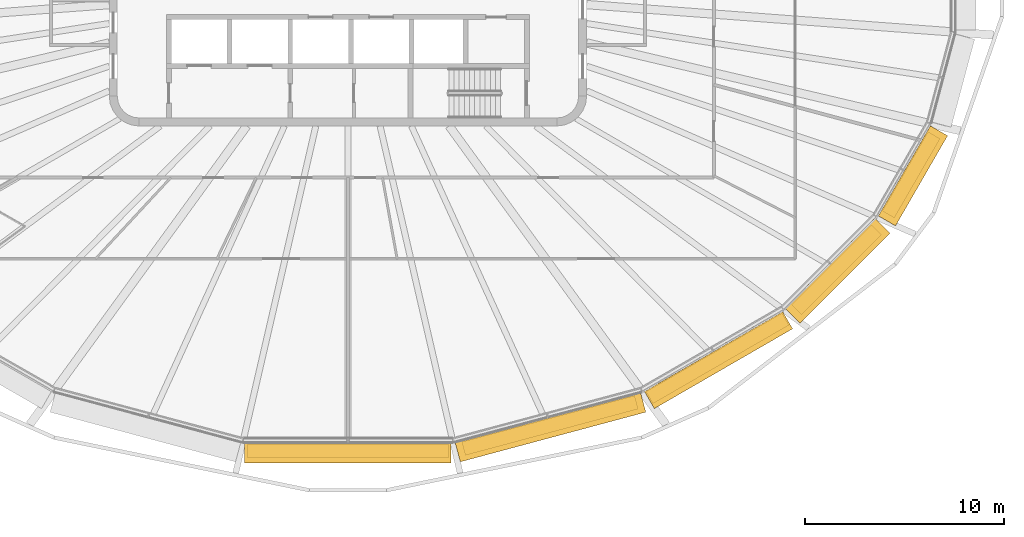
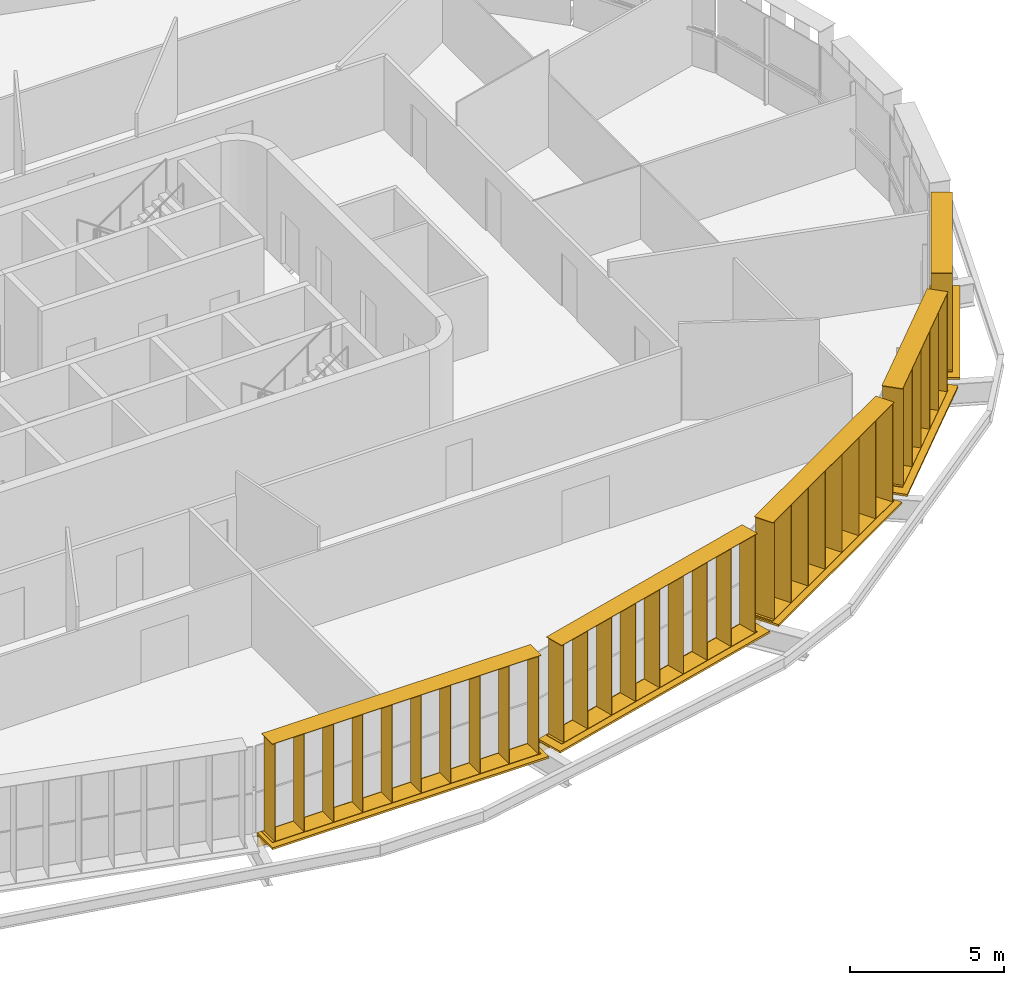
# One storey, part 18 of 20: 10 shading devices.
"""IFC4 building model written with IfcOpenShell, lengths in metres."""

from ifc_helpers import new_model, si_unit, direction, frame, origin, origin_2d, place, context, subcontext, project, spatial, rectangle, extrude, material, type_object, element, save


model = new_model("IFC4")

# Units and contexts
model_context = context("Model", 3, precision=1e-05, world=origin(), true_north=direction((0.0, 1.0)))
body_context = subcontext(model_context, "Body", "Model", "MODEL_VIEW")
ifc_project = project(units=[si_unit("LENGTHUNIT", "METRE"), si_unit("AREAUNIT", "SQUARE_METRE"), si_unit("VOLUMEUNIT", "CUBIC_METRE"), si_unit("PLANEANGLEUNIT", "RADIAN"), si_unit("MASSUNIT", "GRAM", prefix="KILO")], contexts=[model_context])

# Site, building, storey
site_placement = place(None, origin())
site = spatial("IfcSite", under=ifc_project, at=site_placement, CompositionType="ELEMENT")
building_placement = place(site_placement, origin())
building = spatial("IfcBuilding", under=site, at=building_placement, Name="Sahrelin Media Tower", CompositionType="ELEMENT")
storey_placement = place(building_placement, frame((0.0, 0.0, 221.60009765625)))
storey = spatial("IfcBuildingStorey", under=building, at=storey_placement, Name="L47", CompositionType="ELEMENT", Elevation=221.60009765625)

# Shading devices
ifc_material = material(Name="Champagne anodised aluminium 6063-T6", Category="aluminium")
shading_device_type_1 = type_object("IfcShadingDeviceType", Name="Fin cassette", PredefinedType="USERDEFINED", material=ifc_material)
placement_1 = place(storey_placement, frame((0.0, -22.925537109375, 0.0), z_axis=(0.0, 0.0, 1.0), x_axis=(-1.0, 0.0, 0.0)))
element("IfcShadingDevice", 1, at=placement_1, inside=storey, type_object=shading_device_type_1, Name="L47:FIN:L47-18", ObjectType="FIN", PredefinedType="USERDEFINED", context=body_context, shape_type="SweptSolid", body=[
    extrude(rectangle(XDim=10.10009765625, YDim=0.699951171875, at=origin_2d()), frame((0.0, 0.419921875, 0.0)), (0.0, 0.0, 1.0), 0.02001953125),
    extrude(rectangle(XDim=10.10009765625, YDim=0.699951171875, at=origin_2d()), frame((0.0, 0.419921875, 3.89990234375)), (0.0, 0.0, 1.0), 0.02001953125),
    extrude(rectangle(XDim=0.02001953125, YDim=0.699951171875, at=origin_2d()), frame((-4.949951171875, 0.419921875, 0.010009765625), z_axis=(0.0, 0.0, 1.0), x_axis=(1.0, 0.0, 0.0)), (0.0, 0.0, 1.0), 3.89990234375),
    extrude(rectangle(XDim=0.02001953125, YDim=0.699951171875, at=origin_2d()), frame((-3.85009765625, 0.419921875, 0.010009765625), z_axis=(0.0, 0.0, 1.0), x_axis=(1.0, 0.0, 0.0)), (0.0, 0.0, 1.0), 3.89990234375),
    extrude(rectangle(XDim=0.02001953125, YDim=0.699951171875, at=origin_2d()), frame((-2.75, 0.419921875, 0.010009765625), z_axis=(0.0, 0.0, 1.0), x_axis=(1.0, 0.0, 0.0)), (0.0, 0.0, 1.0), 3.89990234375),
    extrude(rectangle(XDim=0.02001953125, YDim=0.699951171875, at=origin_2d()), frame((-1.64990234375, 0.419921875, 0.010009765625), z_axis=(0.0, 0.0, 1.0), x_axis=(1.0, 0.0, 0.0)), (0.0, 0.0, 1.0), 3.89990234375),
    extrude(rectangle(XDim=0.02001953125, YDim=0.699951171875, at=origin_2d()), frame((-0.550048828125, 0.419921875, 0.010009765625), z_axis=(0.0, 0.0, 1.0), x_axis=(1.0, 0.0, 0.0)), (0.0, 0.0, 1.0), 3.89990234375),
    extrude(rectangle(XDim=0.02001953125, YDim=0.699951171875, at=origin_2d()), frame((0.550048828125, 0.419921875, 0.010009765625), z_axis=(0.0, 0.0, 1.0), x_axis=(1.0, 0.0, 0.0)), (0.0, 0.0, 1.0), 3.89990234375),
    extrude(rectangle(XDim=0.02001953125, YDim=0.699951171875, at=origin_2d()), frame((1.64990234375, 0.419921875, 0.010009765625), z_axis=(0.0, 0.0, 1.0), x_axis=(1.0, 0.0, 0.0)), (0.0, 0.0, 1.0), 3.89990234375),
    extrude(rectangle(XDim=0.02001953125, YDim=0.699951171875, at=origin_2d()), frame((2.75, 0.419921875, 0.010009765625), z_axis=(0.0, 0.0, 1.0), x_axis=(1.0, 0.0, 0.0)), (0.0, 0.0, 1.0), 3.89990234375),
    extrude(rectangle(XDim=0.02001953125, YDim=0.699951171875, at=origin_2d()), frame((3.85009765625, 0.419921875, 0.010009765625), z_axis=(0.0, 0.0, 1.0), x_axis=(1.0, 0.0, 0.0)), (0.0, 0.0, 1.0), 3.89990234375),
    extrude(rectangle(XDim=0.02001953125, YDim=0.699951171875, at=origin_2d()), frame((4.949951171875, 0.419921875, 0.010009765625), z_axis=(0.0, 0.0, 1.0), x_axis=(1.0, 0.0, 0.0)), (0.0, 0.0, 1.0), 3.89990234375),
])
placement_2 = place(storey_placement, frame((10.04931640625, -21.650390625, 0.0), z_axis=(0.0, 0.0, 1.0), x_axis=(-0.965928857556, -0.258807731996, 0.0)))
element("IfcShadingDevice", 2, at=placement_2, inside=storey, type_object=shading_device_type_1, Name="L47:FIN:L47-19", ObjectType="FIN", PredefinedType="USERDEFINED", context=body_context, shape_type="SweptSolid", body=[
    extrude(rectangle(XDim=9.0, YDim=0.699951171875, at=origin_2d()), frame((0.0, 0.419921875, 0.0)), (0.0, 0.0, 1.0), 0.02001953125),
    extrude(rectangle(XDim=9.0, YDim=0.699951171875, at=origin_2d()), frame((0.0, 0.419921875, 3.89990234375)), (0.0, 0.0, 1.0), 0.02001953125),
    extrude(rectangle(XDim=0.02001953125, YDim=0.699951171875, at=origin_2d()), frame((-4.39990234375, 0.419921875, 0.010009765625), z_axis=(0.0, 0.0, 1.0), x_axis=(1.0, 0.0, 0.0)), (0.0, 0.0, 1.0), 3.89990234375),
    extrude(rectangle(XDim=0.02001953125, YDim=0.699951171875, at=origin_2d()), frame((-3.300048828125, 0.419921875, 0.010009765625), z_axis=(0.0, 0.0, 1.0), x_axis=(1.0, 0.0, 0.0)), (0.0, 0.0, 1.0), 3.89990234375),
    extrude(rectangle(XDim=0.02001953125, YDim=0.699951171875, at=origin_2d()), frame((-2.199951171875, 0.419921875, 0.010009765625), z_axis=(0.0, 0.0, 1.0), x_axis=(1.0, 0.0, 0.0)), (0.0, 0.0, 1.0), 3.89990234375),
    extrude(rectangle(XDim=0.02001953125, YDim=0.699951171875, at=origin_2d()), frame((-1.10009765625, 0.419921875, 0.010009765625), z_axis=(0.0, 0.0, 1.0), x_axis=(1.0, 0.0, 0.0)), (0.0, 0.0, 1.0), 3.89990234375),
    extrude(rectangle(XDim=0.02001953125, YDim=0.699951171875, at=origin_2d()), frame((0.0, 0.419921875, 0.010009765625), z_axis=(0.0, 0.0, 1.0), x_axis=(1.0, 0.0, 0.0)), (0.0, 0.0, 1.0), 3.89990234375),
    extrude(rectangle(XDim=0.02001953125, YDim=0.699951171875, at=origin_2d()), frame((1.10009765625, 0.419921875, 0.010009765625), z_axis=(0.0, 0.0, 1.0), x_axis=(1.0, 0.0, 0.0)), (0.0, 0.0, 1.0), 3.89990234375),
    extrude(rectangle(XDim=0.02001953125, YDim=0.699951171875, at=origin_2d()), frame((2.199951171875, 0.419921875, 0.010009765625), z_axis=(0.0, 0.0, 1.0), x_axis=(1.0, 0.0, 0.0)), (0.0, 0.0, 1.0), 3.89990234375),
    extrude(rectangle(XDim=0.02001953125, YDim=0.699951171875, at=origin_2d()), frame((3.300048828125, 0.419921875, 0.010009765625), z_axis=(0.0, 0.0, 1.0), x_axis=(1.0, 0.0, 0.0)), (0.0, 0.0, 1.0), 3.89990234375),
    extrude(rectangle(XDim=0.02001953125, YDim=0.699951171875, at=origin_2d()), frame((4.39990234375, 0.419921875, 0.010009765625), z_axis=(0.0, 0.0, 1.0), x_axis=(1.0, 0.0, 0.0)), (0.0, 0.0, 1.0), 3.89990234375),
])
placement_3 = place(storey_placement, frame((18.369873046875, -18.319091796875, 0.0), z_axis=(0.0, 0.0, 1.0), x_axis=(-0.866019052629, -0.500011000363, 0.0)))
element("IfcShadingDevice", 3, at=placement_3, inside=storey, type_object=shading_device_type_1, Name="L47:FIN:L47-20", ObjectType="FIN", PredefinedType="USERDEFINED", context=body_context, shape_type="SweptSolid", body=[
    extrude(rectangle(XDim=7.89990234375, YDim=0.699951171875, at=origin_2d()), frame((0.0, 0.419921875, 0.0)), (0.0, 0.0, 1.0), 0.02001953125),
    extrude(rectangle(XDim=7.89990234375, YDim=0.699951171875, at=origin_2d()), frame((0.0, 0.419921875, 3.89990234375)), (0.0, 0.0, 1.0), 0.02001953125),
    extrude(rectangle(XDim=0.02001953125, YDim=0.699951171875, at=origin_2d()), frame((-3.85009765625, 0.419921875, 0.010009765625), z_axis=(0.0, 0.0, 1.0), x_axis=(1.0, 0.0, 0.0)), (0.0, 0.0, 1.0), 3.89990234375),
    extrude(rectangle(XDim=0.02001953125, YDim=0.699951171875, at=origin_2d()), frame((-2.75, 0.419921875, 0.010009765625), z_axis=(0.0, 0.0, 1.0), x_axis=(1.0, 0.0, 0.0)), (0.0, 0.0, 1.0), 3.89990234375),
    extrude(rectangle(XDim=0.02001953125, YDim=0.699951171875, at=origin_2d()), frame((-1.64990234375, 0.419921875, 0.010009765625), z_axis=(0.0, 0.0, 1.0), x_axis=(1.0, 0.0, 0.0)), (0.0, 0.0, 1.0), 3.89990234375),
    extrude(rectangle(XDim=0.02001953125, YDim=0.699951171875, at=origin_2d()), frame((-0.550048828125, 0.419921875, 0.010009765625), z_axis=(0.0, 0.0, 1.0), x_axis=(1.0, 0.0, 0.0)), (0.0, 0.0, 1.0), 3.89990234375),
    extrude(rectangle(XDim=0.02001953125, YDim=0.699951171875, at=origin_2d()), frame((0.550048828125, 0.419921875, 0.010009765625), z_axis=(0.0, 0.0, 1.0), x_axis=(1.0, 0.0, 0.0)), (0.0, 0.0, 1.0), 3.89990234375),
    extrude(rectangle(XDim=0.02001953125, YDim=0.699951171875, at=origin_2d()), frame((1.64990234375, 0.419921875, 0.010009765625), z_axis=(0.0, 0.0, 1.0), x_axis=(1.0, 0.0, 0.0)), (0.0, 0.0, 1.0), 3.89990234375),
    extrude(rectangle(XDim=0.02001953125, YDim=0.699951171875, at=origin_2d()), frame((2.75, 0.419921875, 0.010009765625), z_axis=(0.0, 0.0, 1.0), x_axis=(1.0, 0.0, 0.0)), (0.0, 0.0, 1.0), 3.89990234375),
    extrude(rectangle(XDim=0.02001953125, YDim=0.699951171875, at=origin_2d()), frame((3.85009765625, 0.419921875, 0.010009765625), z_axis=(0.0, 0.0, 1.0), x_axis=(1.0, 0.0, 0.0)), (0.0, 0.0, 1.0), 3.89990234375),
])
placement_4 = place(storey_placement, frame((24.263916015625, -13.929931640625, 0.0), z_axis=(0.0, 0.0, 1.0), x_axis=(-0.707106781187, -0.707106781187, 0.0)))
element("IfcShadingDevice", 4, at=placement_4, inside=storey, type_object=shading_device_type_1, Name="L47:FIN:L47-21", ObjectType="FIN", PredefinedType="USERDEFINED", context=body_context, shape_type="SweptSolid", body=[
    extrude(rectangle(XDim=5.699951171875, YDim=0.699951171875, at=origin_2d()), frame((0.0, 0.419921875, 0.0)), (0.0, 0.0, 1.0), 0.02001953125),
    extrude(rectangle(XDim=5.699951171875, YDim=0.699951171875, at=origin_2d()), frame((0.0, 0.419921875, 3.89990234375)), (0.0, 0.0, 1.0), 0.02001953125),
    extrude(rectangle(XDim=0.02001953125, YDim=0.699951171875, at=origin_2d()), frame((-2.75, 0.419921875, 0.010009765625), z_axis=(0.0, 0.0, 1.0), x_axis=(1.0, 0.0, 0.0)), (0.0, 0.0, 1.0), 3.89990234375),
    extrude(rectangle(XDim=0.02001953125, YDim=0.699951171875, at=origin_2d()), frame((-1.64990234375, 0.419921875, 0.010009765625), z_axis=(0.0, 0.0, 1.0), x_axis=(1.0, 0.0, 0.0)), (0.0, 0.0, 1.0), 3.89990234375),
    extrude(rectangle(XDim=0.02001953125, YDim=0.699951171875, at=origin_2d()), frame((-0.550048828125, 0.419921875, 0.010009765625), z_axis=(0.0, 0.0, 1.0), x_axis=(1.0, 0.0, 0.0)), (0.0, 0.0, 1.0), 3.89990234375),
    extrude(rectangle(XDim=0.02001953125, YDim=0.699951171875, at=origin_2d()), frame((0.550048828125, 0.419921875, 0.010009765625), z_axis=(0.0, 0.0, 1.0), x_axis=(1.0, 0.0, 0.0)), (0.0, 0.0, 1.0), 3.89990234375),
    extrude(rectangle(XDim=0.02001953125, YDim=0.699951171875, at=origin_2d()), frame((1.64990234375, 0.419921875, 0.010009765625), z_axis=(0.0, 0.0, 1.0), x_axis=(1.0, 0.0, 0.0)), (0.0, 0.0, 1.0), 3.89990234375),
    extrude(rectangle(XDim=0.02001953125, YDim=0.699951171875, at=origin_2d()), frame((2.75, 0.419921875, 0.010009765625), z_axis=(0.0, 0.0, 1.0), x_axis=(1.0, 0.0, 0.0)), (0.0, 0.0, 1.0), 3.89990234375),
])
placement_5 = place(storey_placement, frame((27.954833984375, -9.2451171875, 0.0), z_axis=(0.0, 0.0, 1.0), x_axis=(-0.500011000363, -0.866019052629, 0.0)))
element("IfcShadingDevice", 5, at=placement_5, inside=storey, type_object=shading_device_type_1, Name="L47:FIN:L47-22", ObjectType="FIN", PredefinedType="USERDEFINED", context=body_context, shape_type="SweptSolid", body=[
    extrude(rectangle(XDim=4.60009765625, YDim=0.699951171875, at=origin_2d()), frame((0.0, 0.419921875, 0.0)), (0.0, 0.0, 1.0), 0.02001953125),
    extrude(rectangle(XDim=4.60009765625, YDim=0.699951171875, at=origin_2d()), frame((0.0, 0.419921875, 3.89990234375)), (0.0, 0.0, 1.0), 0.02001953125),
    extrude(rectangle(XDim=0.02001953125, YDim=0.699951171875, at=origin_2d()), frame((-2.199951171875, 0.419921875, 0.010009765625), z_axis=(0.0, 0.0, 1.0), x_axis=(1.0, 0.0, 0.0)), (0.0, 0.0, 1.0), 3.89990234375),
    extrude(rectangle(XDim=0.02001953125, YDim=0.699951171875, at=origin_2d()), frame((-1.10009765625, 0.419921875, 0.010009765625), z_axis=(0.0, 0.0, 1.0), x_axis=(1.0, 0.0, 0.0)), (0.0, 0.0, 1.0), 3.89990234375),
    extrude(rectangle(XDim=0.02001953125, YDim=0.699951171875, at=origin_2d()), frame((0.0, 0.419921875, 0.010009765625), z_axis=(0.0, 0.0, 1.0), x_axis=(1.0, 0.0, 0.0)), (0.0, 0.0, 1.0), 3.89990234375),
    extrude(rectangle(XDim=0.02001953125, YDim=0.699951171875, at=origin_2d()), frame((1.10009765625, 0.419921875, 0.010009765625), z_axis=(0.0, 0.0, 1.0), x_axis=(1.0, 0.0, 0.0)), (0.0, 0.0, 1.0), 3.89990234375),
    extrude(rectangle(XDim=0.02001953125, YDim=0.699951171875, at=origin_2d()), frame((2.199951171875, 0.419921875, 0.010009765625), z_axis=(0.0, 0.0, 1.0), x_axis=(1.0, 0.0, 0.0)), (0.0, 0.0, 1.0), 3.89990234375),
])
shading_device_type_2 = type_object("IfcShadingDeviceType", Name="Sunshade band", PredefinedType="USERDEFINED", material=ifc_material)
element("IfcShadingDevice", 6, at=placement_1, inside=storey, type_object=shading_device_type_2, Name="L47:SUN:L47-18", ObjectType="SUNSHADE", PredefinedType="USERDEFINED", context=body_context, shape_type="SweptSolid", body=[
    extrude(rectangle(XDim=10.3798828125, YDim=0.050048828125, at=origin_2d()), frame((0.0, 0.044921875, -0.55126953125)), (0.0, 0.0, 1.0), 0.471435546875),
    extrude(rectangle(XDim=10.3798828125, YDim=1.0, at=origin_2d()), frame((0.0, 0.52001953125, -0.080078125)), (0.0, 0.0, 1.0), 0.080078125),
    extrude(rectangle(XDim=0.10009765625, YDim=0.074951171875, at=origin_2d()), frame((-5.08984375, -0.017578125, -0.47021484375)), (0.0, 0.0, 1.0), 0.300048828125),
    extrude(rectangle(XDim=0.10009765625, YDim=0.074951171875, at=origin_2d()), frame((-3.393310546875, -0.017578125, -0.47021484375)), (0.0, 0.0, 1.0), 0.300048828125),
    extrude(rectangle(XDim=0.10009765625, YDim=0.074951171875, at=origin_2d()), frame((-1.696533203125, -0.017578125, -0.47021484375)), (0.0, 0.0, 1.0), 0.300048828125),
    extrude(rectangle(XDim=0.10009765625, YDim=0.074951171875, at=origin_2d()), frame((0.0, -0.017578125, -0.47021484375)), (0.0, 0.0, 1.0), 0.300048828125),
    extrude(rectangle(XDim=0.10009765625, YDim=0.074951171875, at=origin_2d()), frame((1.696533203125, -0.017578125, -0.47021484375)), (0.0, 0.0, 1.0), 0.300048828125),
    extrude(rectangle(XDim=0.10009765625, YDim=0.074951171875, at=origin_2d()), frame((3.393310546875, -0.017578125, -0.47021484375)), (0.0, 0.0, 1.0), 0.300048828125),
    extrude(rectangle(XDim=0.10009765625, YDim=0.074951171875, at=origin_2d()), frame((5.08984375, -0.017578125, -0.47021484375)), (0.0, 0.0, 1.0), 0.300048828125),
])
element("IfcShadingDevice", 7, at=placement_2, inside=storey, type_object=shading_device_type_2, Name="L47:SUN:L47-19", ObjectType="SUNSHADE", PredefinedType="USERDEFINED", context=body_context, shape_type="SweptSolid", body=[
    extrude(rectangle(XDim=9.654541015625, YDim=0.050048828125, at=origin_2d()), frame((0.0, 0.044921875, -0.55126953125)), (0.0, 0.0, 1.0), 0.471435546875),
    extrude(rectangle(XDim=9.654541015625, YDim=1.0, at=origin_2d()), frame((0.0, 0.52001953125, -0.080078125)), (0.0, 0.0, 1.0), 0.080078125),
    extrude(rectangle(XDim=0.10009765625, YDim=0.074951171875, at=origin_2d()), frame((-4.727294921875, -0.017578125, -0.47021484375)), (0.0, 0.0, 1.0), 0.300048828125),
    extrude(rectangle(XDim=0.10009765625, YDim=0.074951171875, at=origin_2d()), frame((-2.83642578125, -0.017578125, -0.47021484375)), (0.0, 0.0, 1.0), 0.300048828125),
    extrude(rectangle(XDim=0.10009765625, YDim=0.074951171875, at=origin_2d()), frame((-0.945556640625, -0.017578125, -0.47021484375)), (0.0, 0.0, 1.0), 0.300048828125),
    extrude(rectangle(XDim=0.10009765625, YDim=0.074951171875, at=origin_2d()), frame((0.945556640625, -0.017578125, -0.47021484375)), (0.0, 0.0, 1.0), 0.300048828125),
    extrude(rectangle(XDim=0.10009765625, YDim=0.074951171875, at=origin_2d()), frame((2.83642578125, -0.017578125, -0.47021484375)), (0.0, 0.0, 1.0), 0.300048828125),
    extrude(rectangle(XDim=0.10009765625, YDim=0.074951171875, at=origin_2d()), frame((4.727294921875, -0.017578125, -0.47021484375)), (0.0, 0.0, 1.0), 0.300048828125),
])
element("IfcShadingDevice", 8, at=placement_3, inside=storey, type_object=shading_device_type_2, Name="L47:SUN:L47-20", ObjectType="SUNSHADE", PredefinedType="USERDEFINED", context=body_context, shape_type="SweptSolid", body=[
    extrude(rectangle(XDim=8.02392578125, YDim=0.050048828125, at=origin_2d()), frame((0.0, 0.044921875, -0.55126953125)), (0.0, 0.0, 1.0), 0.471435546875),
    extrude(rectangle(XDim=8.02392578125, YDim=1.0, at=origin_2d()), frame((0.0, 0.52001953125, -0.080078125)), (0.0, 0.0, 1.0), 0.080078125),
    extrude(rectangle(XDim=0.10009765625, YDim=0.074951171875, at=origin_2d()), frame((-3.912109375, -0.017578125, -0.47021484375)), (0.0, 0.0, 1.0), 0.300048828125),
    extrude(rectangle(XDim=0.10009765625, YDim=0.074951171875, at=origin_2d()), frame((-2.34716796875, -0.017578125, -0.47021484375)), (0.0, 0.0, 1.0), 0.300048828125),
    extrude(rectangle(XDim=0.10009765625, YDim=0.074951171875, at=origin_2d()), frame((-0.782470703125, -0.017578125, -0.47021484375)), (0.0, 0.0, 1.0), 0.300048828125),
    extrude(rectangle(XDim=0.10009765625, YDim=0.074951171875, at=origin_2d()), frame((0.782470703125, -0.017578125, -0.47021484375)), (0.0, 0.0, 1.0), 0.300048828125),
    extrude(rectangle(XDim=0.10009765625, YDim=0.074951171875, at=origin_2d()), frame((2.34716796875, -0.017578125, -0.47021484375)), (0.0, 0.0, 1.0), 0.300048828125),
    extrude(rectangle(XDim=0.10009765625, YDim=0.074951171875, at=origin_2d()), frame((3.912109375, -0.017578125, -0.47021484375)), (0.0, 0.0, 1.0), 0.300048828125),
])
element("IfcShadingDevice", 9, at=placement_4, inside=storey, type_object=shading_device_type_2, Name="L47:SUN:L47-21", ObjectType="SUNSHADE", PredefinedType="USERDEFINED", context=body_context, shape_type="SweptSolid", body=[
    extrude(rectangle(XDim=6.398681640625, YDim=0.050048828125, at=origin_2d()), frame((0.0, 0.044921875, -0.55126953125)), (0.0, 0.0, 1.0), 0.471435546875),
    extrude(rectangle(XDim=6.398681640625, YDim=1.0, at=origin_2d()), frame((0.0, 0.52001953125, -0.080078125)), (0.0, 0.0, 1.0), 0.080078125),
    extrude(rectangle(XDim=0.10009765625, YDim=0.074951171875, at=origin_2d()), frame((-3.099365234375, -0.017578125, -0.47021484375)), (0.0, 0.0, 1.0), 0.300048828125),
    extrude(rectangle(XDim=0.10009765625, YDim=0.074951171875, at=origin_2d()), frame((-1.5498046875, -0.017578125, -0.47021484375)), (0.0, 0.0, 1.0), 0.300048828125),
    extrude(rectangle(XDim=0.10009765625, YDim=0.074951171875, at=origin_2d()), frame((0.0, -0.017578125, -0.47021484375)), (0.0, 0.0, 1.0), 0.300048828125),
    extrude(rectangle(XDim=0.10009765625, YDim=0.074951171875, at=origin_2d()), frame((1.5498046875, -0.017578125, -0.47021484375)), (0.0, 0.0, 1.0), 0.300048828125),
    extrude(rectangle(XDim=0.10009765625, YDim=0.074951171875, at=origin_2d()), frame((3.099365234375, -0.017578125, -0.47021484375)), (0.0, 0.0, 1.0), 0.300048828125),
])
element("IfcShadingDevice", 10, at=placement_5, inside=storey, type_object=shading_device_type_2, Name="L47:SUN:L47-22", ObjectType="SUNSHADE", PredefinedType="USERDEFINED", context=body_context, shape_type="SweptSolid", body=[
    extrude(rectangle(XDim=5.231689453125, YDim=0.050048828125, at=origin_2d()), frame((0.0, 0.044921875, -0.55126953125)), (0.0, 0.0, 1.0), 0.471435546875),
    extrude(rectangle(XDim=5.231689453125, YDim=1.0, at=origin_2d()), frame((0.0, 0.52001953125, -0.080078125)), (0.0, 0.0, 1.0), 0.080078125),
    extrude(rectangle(XDim=0.10009765625, YDim=0.074951171875, at=origin_2d()), frame((-2.515869140625, -0.017578125, -0.47021484375)), (0.0, 0.0, 1.0), 0.300048828125),
    extrude(rectangle(XDim=0.10009765625, YDim=0.074951171875, at=origin_2d()), frame((-0.838623046875, -0.017578125, -0.47021484375)), (0.0, 0.0, 1.0), 0.300048828125),
    extrude(rectangle(XDim=0.10009765625, YDim=0.074951171875, at=origin_2d()), frame((0.838623046875, -0.017578125, -0.47021484375)), (0.0, 0.0, 1.0), 0.300048828125),
    extrude(rectangle(XDim=0.10009765625, YDim=0.074951171875, at=origin_2d()), frame((2.515869140625, -0.017578125, -0.47021484375)), (0.0, 0.0, 1.0), 0.300048828125),
])

save(model, "model.ifc")
